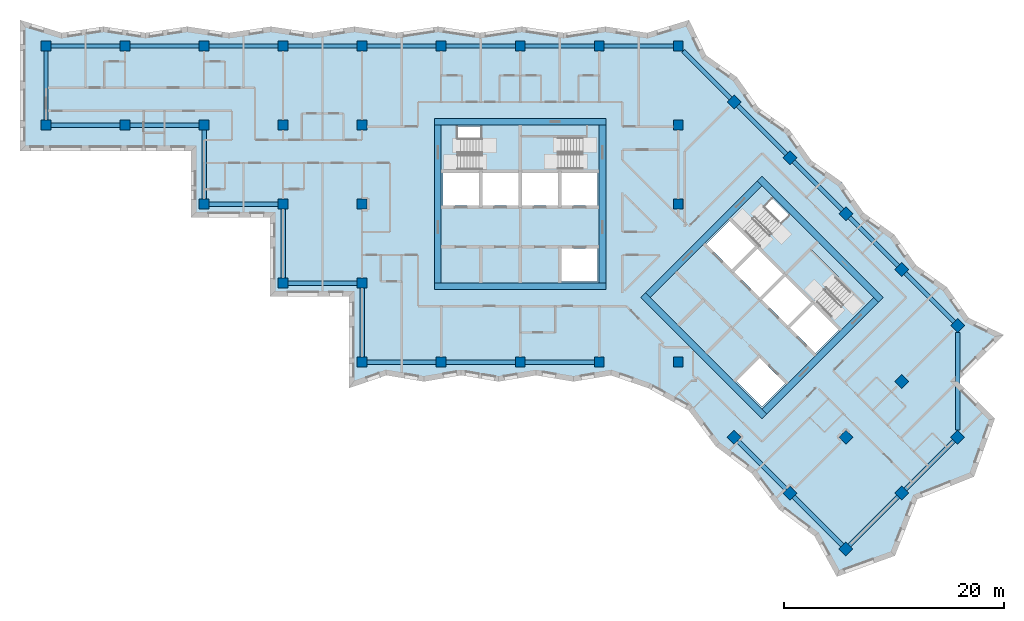
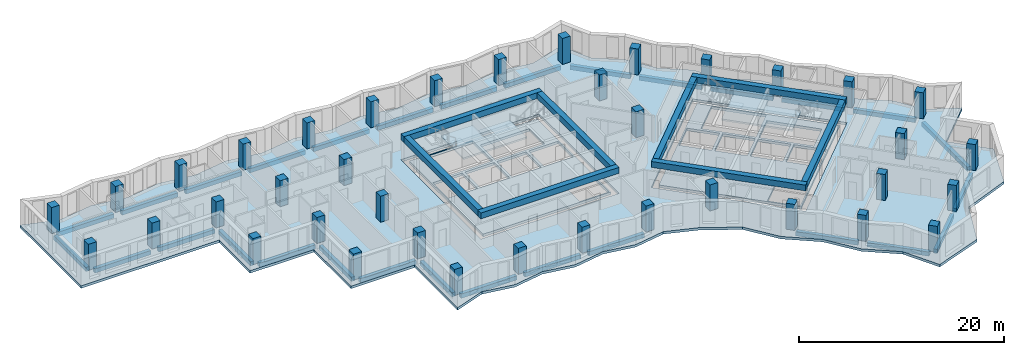
# One storey, part 1 of 12: 38 columns, 37 beams, 7 slabs, 16 openings, 4 elements without a shape of their own.
"""IFC4 building model written with IfcOpenShell, lengths in metres."""

from ifc_helpers import new_model, si_unit, direction, frame, origin, origin_2d, place, context, subcontext, project, spatial, polyline, rectangle, outline, extrude, material, layer, layer_set, material_profile, profile_set, type_object, element, aggregate, save


model = new_model("IFC4")

# Units and contexts
model_context = context("Model", 3, precision=1e-05, world=origin(), true_north=direction((0.0, 1.0)))
body_context = subcontext(model_context, "Body", "Model", "MODEL_VIEW")
ifc_project = project(units=[si_unit("LENGTHUNIT", "METRE"), si_unit("AREAUNIT", "SQUARE_METRE"), si_unit("VOLUMEUNIT", "CUBIC_METRE"), si_unit("PLANEANGLEUNIT", "RADIAN"), si_unit("MASSUNIT", "GRAM", prefix="KILO")], contexts=[model_context])

# Site, building, storey
site_placement = place(None, origin())
site = spatial("IfcSite", under=ifc_project, at=site_placement, CompositionType="ELEMENT")
building_placement = place(site_placement, origin())
building = spatial("IfcBuilding", under=site, at=building_placement, Name="Windrow Commons", CompositionType="ELEMENT")
storey_placement = place(building_placement, frame((0.0, 0.0, 166.0)))
storey = spatial("IfcBuildingStorey", under=building, at=storey_placement, Name="L45", CompositionType="ELEMENT", Elevation=166.0)

# Columns
ifc_material_1 = material(Name="Concrete C50/60", Category="concrete")
ifc_material_profile_1 = material_profile(ifc_material_1, rectangle(XDim=0.9, YDim=0.9, at=origin_2d()))
ifc_profile_set_1 = profile_set([ifc_material_profile_1], Name="Concrete C50/60")
column_type = type_object("IfcColumnType", Name="RC COLUMN 900x900 C50/60", PredefinedType="COLUMN", material=ifc_profile_set_1)
for number, where, z_axis, x_axis, name in (
    (1, (21.6, 64.8, 0.0), (0.0, 0.0, 1.0), (1.0, 0.0, 0.0), "C-Z3-04I"),
    (2, (21.6, 72.0, 0.0), (0.0, 0.0, 1.0), (1.0, 0.0, 0.0), "C-Z3-04J"),
    (3, (28.8, 64.8, 0.0), (0.0, 0.0, 1.0), (1.0, 0.0, 0.0), "C-Z3-05I"),
    (4, (28.8, 72.0, 0.0), (0.0, 0.0, 1.0), (1.0, 0.0, 0.0), "C-Z3-05J"),
    (5, (36.0, 57.6, 0.0), (0.0, 0.0, 1.0), (1.0, 0.0, 0.0), "C-Z3-06H"),
    (6, (36.0, 64.8, 0.0), (0.0, 0.0, 1.0), (1.0, 0.0, 0.0), "C-Z3-06I"),
    (7, (36.0, 72.0, 0.0), (0.0, 0.0, 1.0), (1.0, 0.0, 0.0), "C-Z3-06J"),
    (8, (43.2, 50.4, 0.0), (0.0, 0.0, 1.0), (1.0, 0.0, 0.0), "C-Z3-07G"),
    (9, (43.2, 57.6, 0.0), (0.0, 0.0, 1.0), (1.0, 0.0, 0.0), "C-Z3-07H"),
    (10, (43.2, 64.8, 0.0), (0.0, 0.0, 1.0), (1.0, 0.0, 0.0), "C-Z3-07I"),
    (11, (43.2, 72.0, 0.0), (0.0, 0.0, 1.0), (1.0, 0.0, 0.0), "C-Z3-07J"),
    (12, (50.4, 43.2, 0.0), (0.0, 0.0, 1.0), (1.0, 0.0, 0.0), "C-Z3-08F"),
    (13, (50.4, 50.4, 0.0), (0.0, 0.0, 1.0), (1.0, 0.0, 0.0), "C-Z3-08G"),
    (14, (50.4, 57.6, 0.0), (0.0, 0.0, 1.0), (1.0, 0.0, 0.0), "C-Z3-08H"),
    (15, (50.4, 64.8, 0.0), (0.0, 0.0, 1.0), (1.0, 0.0, 0.0), "C-Z3-08I"),
    (16, (50.4, 72.0, 0.0), (0.0, 0.0, 1.0), (1.0, 0.0, 0.0), "C-Z3-08J"),
    (17, (57.6, 43.2, 0.0), (0.0, 0.0, 1.0), (1.0, 0.0, 0.0), "C-Z3-09F"),
    (18, (57.6, 72.0, 0.0), (0.0, 0.0, 1.0), (1.0, 0.0, 0.0), "C-Z3-09J"),
    (19, (64.8, 43.2, 0.0), (0.0, 0.0, 1.0), (1.0, 0.0, 0.0), "C-Z3-10F"),
    (20, (64.8, 72.0, 0.0), (0.0, 0.0, 1.0), (1.0, 0.0, 0.0), "C-Z3-10J"),
    (21, (72.0, 43.2, 0.0), (0.0, 0.0, 1.0), (1.0, 0.0, 0.0), "C-Z3-11F"),
    (22, (72.0, 72.0, 0.0), (0.0, 0.0, 1.0), (1.0, 0.0, 0.0), "C-Z3-11J"),
    (23, (79.2, 43.2, 0.0), (0.0, 0.0, 1.0), (1.0, 0.0, 0.0), "C-Z3-12F"),
    (24, (79.2, 57.6, 0.0), (0.0, 0.0, 1.0), (1.0, 0.0, 0.0), "C-Z3-12H"),
    (25, (79.2, 64.8, 0.0), (0.0, 0.0, 1.0), (1.0, 0.0, 0.0), "C-Z3-12I"),
    (26, (79.2, 72.0, 0.0), (0.0, 0.0, 1.0), (1.0, 0.0, 0.0), "C-Z3-12J"),
    (27, (84.2912, 66.9088, 0.0), (0.0, 0.0, 1.0), (0.7071067812, -0.7071067812, 0.0), "C-Z3-P2Q"),
    (28, (89.3823, 61.8177, 0.0), (0.0, 0.0, 1.0), (0.7071067812, -0.7071067812, 0.0), "C-Z3-P3Q"),
    (29, (94.4735, 56.7265, 0.0), (0.0, 0.0, 1.0), (0.7071067812, -0.7071067812, 0.0), "C-Z3-P4Q"),
    (30, (99.5647, 51.6353, 0.0), (0.0, 0.0, 1.0), (0.7071067812, -0.7071067812, 0.0), "C-Z3-P5Q"),
    (31, (84.2912, 36.3618, 0.0), (0.0, 0.0, 1.0), (0.7071067812, -0.7071067812, 0.0), "C-Z3-P5T"),
    (32, (104.6558, 46.5442, 0.0), (0.0, 0.0, 1.0), (0.7071067812, -0.7071067812, 0.0), "C-Z3-P6Q"),
    (33, (99.5647, 41.453, 0.0), (0.0, 0.0, 1.0), (0.7071067812, -0.7071067812, 0.0), "C-Z3-P6R"),
    (34, (94.4735, 36.3618, 0.0), (0.0, 0.0, 1.0), (0.7071067812, -0.7071067812, 0.0), "C-Z3-P6S"),
    (35, (89.3823, 31.2706, 0.0), (0.0, 0.0, 1.0), (0.7071067812, -0.7071067812, 0.0), "C-Z3-P6T"),
    (36, (104.6558, 36.3618, 0.0), (0.0, 0.0, 1.0), (0.7071067812, -0.7071067812, 0.0), "C-Z3-P7R"),
    (37, (99.5647, 31.2706, 0.0), (0.0, 0.0, 1.0), (0.7071067812, -0.7071067812, 0.0), "C-Z3-P7S"),
    (38, (94.4735, 26.1795, 0.0), (0.0, 0.0, 1.0), (0.7071067812, -0.7071067812, 0.0), "C-Z3-P7T"),
):
    element("IfcColumn", number, at=place(storey_placement, frame(where, z_axis=z_axis, x_axis=x_axis)), inside=storey, type_object=column_type, Name=name, PredefinedType="COLUMN", context=body_context, shape_type="SweptSolid", body=[
        extrude(rectangle(XDim=0.9, YDim=0.9, at=origin_2d()), origin(), (0.0, 0.0, 1.0), 3.1),
    ])

# Beams
ifc_material_2 = material(Name="Concrete C50/60", Category="concrete")
ifc_material_profile_2 = material_profile(ifc_material_2, rectangle(XDim=0.6, YDim=0.7, at=origin_2d()))
ifc_profile_set_2 = profile_set([ifc_material_profile_2], Name="Concrete C50/60")
beam_type_1 = type_object("IfcBeamType", Name="RC COUPLING BEAM 600x700 C50/60", PredefinedType="LINTEL", material=ifc_profile_set_2)
for number, where, z_axis, x_axis, name in (
    (39, (57.0, 50.1, 2.75), (1.0, 0.0, 0.0), (0.0, 1.0, 0.0), "Core A coupling beam outer-S"),
    (40, (57.0, 65.1, 2.75), (1.0, 0.0, 0.0), (0.0, 1.0, 0.0), "Core A coupling beam outer-N"),
):
    element("IfcBeam", number, at=place(storey_placement, frame(where, z_axis=z_axis, x_axis=x_axis)), inside=storey, type_object=beam_type_1, Name=name, PredefinedType="LINTEL", context=body_context, shape_type="SweptSolid", body=[
        extrude(rectangle(XDim=0.6, YDim=0.7, at=origin_2d()), origin(), (0.0, 0.0, 1.0), 15.6),
    ])
for number, where, z_axis, x_axis, name in (
    (41, (57.3, 50.4, 2.75), (0.0, 1.0, 0.0), (-1.0, 0.0, 0.0), "Core A coupling beam outer-W"),
    (42, (72.3, 50.4, 2.75), (0.0, 1.0, 0.0), (-1.0, 0.0, 0.0), "Core A coupling beam outer-E"),
):
    element("IfcBeam", number, at=place(storey_placement, frame(where, z_axis=z_axis, x_axis=x_axis)), inside=storey, type_object=beam_type_1, Name=name, PredefinedType="LINTEL", context=body_context, shape_type="SweptSolid", body=[
        extrude(rectangle(XDim=0.6, YDim=0.7, at=origin_2d()), origin(), (0.0, 0.0, 1.0), 14.4),
    ])
for number, where, z_axis, x_axis, name in (
    (43, (76.018, 49.3019, 2.75), (0.7071067812, -0.7071067812, 0.0), (0.7071067812, 0.7071067812, 0.0), "Core B coupling beam outer-S"),
    (44, (86.6246, 59.9085, 2.75), (0.7071067812, -0.7071067812, 0.0), (0.7071067812, 0.7071067812, 0.0), "Core B coupling beam outer-N"),
):
    element("IfcBeam", number, at=place(storey_placement, frame(where, z_axis=z_axis, x_axis=x_axis)), inside=storey, type_object=beam_type_1, Name=name, PredefinedType="LINTEL", context=body_context, shape_type="SweptSolid", body=[
        extrude(rectangle(XDim=0.6, YDim=0.7, at=origin_2d()), origin(), (0.0, 0.0, 1.0), 15.6),
    ])
for number, where, z_axis, x_axis, name in (
    (45, (76.4423, 49.3019, 2.75), (0.7071067812, 0.7071067812, 0.0), (-0.7071067812, 0.7071067812, 0.0), "Core B coupling beam outer-W"),
    (46, (87.0489, 38.6953, 2.75), (0.7071067812, 0.7071067812, 0.0), (-0.7071067812, 0.7071067812, 0.0), "Core B coupling beam outer-E"),
):
    element("IfcBeam", number, at=place(storey_placement, frame(where, z_axis=z_axis, x_axis=x_axis)), inside=storey, type_object=beam_type_1, Name=name, PredefinedType="LINTEL", context=body_context, shape_type="SweptSolid", body=[
        extrude(rectangle(XDim=0.6, YDim=0.7, at=origin_2d()), origin(), (0.0, 0.0, 1.0), 14.3999),
    ])
ifc_material_3 = material(Name="Concrete C50/60", Category="concrete")
ifc_material_profile_3 = material_profile(ifc_material_3, rectangle(XDim=0.4, YDim=0.5, at=origin_2d()))
ifc_profile_set_3 = profile_set([ifc_material_profile_3], Name="Concrete C50/60")
beam_type_2 = type_object("IfcBeamType", Name="RC EDGE BEAM 400x500 C50/60", PredefinedType="SPANDREL", material=ifc_profile_set_3)
for number, where, z_axis, x_axis, name in (
    (47, (36.0, 58.05, -0.55), (0.0, 1.0, 0.0), (-1.0, 0.0, 0.0), "Edge beam L45 001"),
    (48, (35.55, 64.8, -0.55), (-1.0, 0.0, 0.0), (0.0, -1.0, 0.0), "Edge beam L45 002"),
    (49, (28.35, 64.8, -0.55), (-1.0, 0.0, 0.0), (0.0, -1.0, 0.0), "Edge beam L45 003"),
    (50, (21.6, 65.25, -0.55), (0.0, 1.0, 0.0), (-1.0, 0.0, 0.0), "Edge beam L45 004"),
    (51, (22.05, 72.0, -0.55), (1.0, 0.0, 0.0), (0.0, 1.0, 0.0), "Edge beam L45 005"),
    (52, (29.25, 72.0, -0.55), (1.0, 0.0, 0.0), (0.0, 1.0, 0.0), "Edge beam L45 006"),
    (53, (36.45, 72.0, -0.55), (1.0, 0.0, 0.0), (0.0, 1.0, 0.0), "Edge beam L45 007"),
    (54, (43.65, 72.0, -0.55), (1.0, 0.0, 0.0), (0.0, 1.0, 0.0), "Edge beam L45 008"),
    (55, (50.85, 72.0, -0.55), (1.0, 0.0, 0.0), (0.0, 1.0, 0.0), "Edge beam L45 009"),
    (56, (58.05, 72.0, -0.55), (1.0, 0.0, 0.0), (0.0, 1.0, 0.0), "Edge beam L45 010"),
    (57, (65.25, 72.0, -0.55), (1.0, 0.0, 0.0), (0.0, 1.0, 0.0), "Edge beam L45 011"),
    (58, (72.45, 72.0, -0.55), (1.0, 0.0, 0.0), (0.0, 1.0, 0.0), "Edge beam L45 012"),
):
    element("IfcBeam", number, at=place(storey_placement, frame(where, z_axis=z_axis, x_axis=x_axis)), inside=storey, type_object=beam_type_2, Name=name, PredefinedType="SPANDREL", context=body_context, shape_type="SweptSolid", body=[
        extrude(rectangle(XDim=0.4, YDim=0.5, at=origin_2d()), origin(), (0.0, 0.0, 1.0), 6.3),
    ])
beam_1_placement = place(storey_placement, frame((79.65, 71.55, -0.55), z_axis=(0.7071067812, -0.7071067812, 0.0), x_axis=(0.7071067812, 0.7071067812, 0.0)))
element("IfcBeam", 59, at=beam_1_placement, inside=storey, type_object=beam_type_2, Name="Edge beam L45 013", PredefinedType="SPANDREL", context=body_context, shape_type="SweptSolid", body=[
    extrude(rectangle(XDim=0.4, YDim=0.5, at=origin_2d()), origin(), (0.0, 0.0, 1.0), 6.1136),
])
beam_2_placement = place(storey_placement, frame((84.6094, 66.5906, -0.55), z_axis=(0.7071067812, -0.7071067812, 0.0), x_axis=(0.7071067812, 0.7071067812, 0.0)))
element("IfcBeam", 60, at=beam_2_placement, inside=storey, type_object=beam_type_2, Name="Edge beam L45 014", PredefinedType="SPANDREL", context=body_context, shape_type="SweptSolid", body=[
    extrude(rectangle(XDim=0.4, YDim=0.5, at=origin_2d()), origin(), (0.0, 0.0, 1.0), 6.2999),
])
for number, where, z_axis, x_axis, name in (
    (61, (89.7005, 61.4995, -0.55), (0.7071067812, -0.7071067812, 0.0), (0.7071067812, 0.7071067812, 0.0), "Edge beam L45 015"),
    (62, (94.7917, 56.4083, -0.55), (0.7071067812, -0.7071067812, 0.0), (0.7071067812, 0.7071067812, 0.0), "Edge beam L45 016"),
):
    element("IfcBeam", number, at=place(storey_placement, frame(where, z_axis=z_axis, x_axis=x_axis)), inside=storey, type_object=beam_type_2, Name=name, PredefinedType="SPANDREL", context=body_context, shape_type="SweptSolid", body=[
        extrude(rectangle(XDim=0.4, YDim=0.5, at=origin_2d()), origin(), (0.0, 0.0, 1.0), 6.3),
    ])
beam_3_placement = place(storey_placement, frame((99.8829, 51.3171, -0.55), z_axis=(0.7071067812, -0.7071067812, 0.0), x_axis=(0.7071067812, 0.7071067812, 0.0)))
element("IfcBeam", 63, at=beam_3_placement, inside=storey, type_object=beam_type_2, Name="Edge beam L45 017", PredefinedType="SPANDREL", context=body_context, shape_type="SweptSolid", body=[
    extrude(rectangle(XDim=0.4, YDim=0.5, at=origin_2d()), origin(), (0.0, 0.0, 1.0), 6.2999),
])
beam_4_placement = place(storey_placement, frame((104.6558, 45.9078, -0.55), z_axis=(0.0, -1.0, 0.0), x_axis=(1.0, 0.0, 0.0)))
element("IfcBeam", 64, at=beam_4_placement, inside=storey, type_object=beam_type_2, Name="Edge beam L45 018", PredefinedType="SPANDREL", context=body_context, shape_type="SweptSolid", body=[
    extrude(rectangle(XDim=0.4, YDim=0.5, at=origin_2d()), origin(), (0.0, 0.0, 1.0), 8.9096),
])
for number, where, z_axis, x_axis, name in (
    (65, (104.3376, 36.0436, -0.55), (-0.7070988446, -0.7071147177, 0.0), (0.7071147177, -0.7070988446, 0.0), "Edge beam L45 019"),
    (66, (99.2465, 30.9524, -0.55), (-0.7071147177, -0.7070988446, 0.0), (0.7070988446, -0.7071147177, 0.0), "Edge beam L45 020"),
    (67, (94.1553, 26.4977, -0.55), (-0.7071147177, 0.7070988446, 0.0), (-0.7070988446, -0.7071147177, 0.0), "Edge beam L45 021"),
    (68, (89.0641, 31.5888, -0.55), (-0.7070988446, 0.7071147177, 0.0), (-0.7071147177, -0.7070988446, 0.0), "Edge beam L45 022"),
    (69, (71.55, 43.2, -0.55), (-1.0, 0.0, 0.0), (0.0, -1.0, 0.0), "Edge beam L45 023"),
    (70, (64.35, 43.2, -0.55), (-1.0, 0.0, 0.0), (0.0, -1.0, 0.0), "Edge beam L45 024"),
    (71, (57.15, 43.2, -0.55), (-1.0, 0.0, 0.0), (0.0, -1.0, 0.0), "Edge beam L45 025"),
    (72, (50.4, 43.65, -0.55), (0.0, 1.0, 0.0), (-1.0, 0.0, 0.0), "Edge beam L45 026"),
    (73, (49.95, 50.4, -0.55), (-1.0, 0.0, 0.0), (0.0, -1.0, 0.0), "Edge beam L45 027"),
    (74, (43.2, 50.85, -0.55), (0.0, 1.0, 0.0), (-1.0, 0.0, 0.0), "Edge beam L45 028"),
    (75, (42.75, 57.6, -0.55), (-1.0, 0.0, 0.0), (0.0, -1.0, 0.0), "Edge beam L45 029"),
):
    element("IfcBeam", number, at=place(storey_placement, frame(where, z_axis=z_axis, x_axis=x_axis)), inside=storey, type_object=beam_type_2, Name=name, PredefinedType="SPANDREL", context=body_context, shape_type="SweptSolid", body=[
        extrude(rectangle(XDim=0.4, YDim=0.5, at=origin_2d()), origin(), (0.0, 0.0, 1.0), 6.3),
    ])

# Slab, openings
ifc_material_4 = material(Name="Concrete C50/60", Category="concrete")
ifc_layer_1 = layer(ifc_material_4, 0.3)
ifc_layer_set_1 = layer_set([ifc_layer_1], Name="CORE FLOOR SLAB 300 C50/60")
slab_type_1 = type_object("IfcSlabType", Name="CORE FLOOR SLAB 300 C50/60", PredefinedType="FLOOR", material=ifc_layer_set_1)
placement_1 = place(storey_placement, frame((0.0, 0.0, -0.3)))
slab_1 = element("IfcSlab", 76, at=placement_1, inside=storey, type_object=slab_type_1, Name="S-L45-core-A", PredefinedType="FLOOR", context=body_context, shape_type="SweptSolid", body=[
    extrude(outline(polyline([(57.6, 50.4), (72.0, 50.4), (72.0, 64.8), (57.6, 64.8), (57.6, 50.4)]), holes=[polyline([(68.55, 50.55), (71.85, 50.55), (71.85, 53.55), (68.55, 53.55), (68.55, 50.55)]), polyline([(57.75, 57.45), (61.05, 57.45), (61.05, 60.45), (57.75, 60.45), (57.75, 57.45)]), polyline([(61.35, 57.45), (64.65, 57.45), (64.65, 60.45), (61.35, 60.45), (61.35, 57.45)]), polyline([(64.95, 57.45), (68.25, 57.45), (68.25, 60.45), (64.95, 60.45), (64.95, 57.45)]), polyline([(68.55, 57.45), (71.85, 57.45), (71.85, 60.45), (68.55, 60.45), (68.55, 57.45)]), polyline([(59.1, 60.75), (64.65, 60.75), (64.65, 64.65), (59.1, 64.65), (59.1, 60.75)]), polyline([(64.95, 60.75), (70.5, 60.75), (70.5, 63.705), (64.95, 63.705), (64.95, 60.75)])]), origin(), (0.0, 0.0, 1.0), 0.3),
])
opening_1_placement = place(placement_1, origin())
element("IfcOpeningElement", 77, at=opening_1_placement, cuts=slab_1, Name="Slab opening S-L45-core-A 1", PredefinedType="OPENING", context=body_context, shape_type="SweptSolid", body=[
    extrude(outline(polyline([(68.555, 50.555), (68.555, 53.545), (71.845, 53.545), (71.845, 50.555), (68.555, 50.555)])), origin(), (0.0, 0.0, 1.0), 0.3),
])
opening_2_placement = place(placement_1, origin())
element("IfcOpeningElement", 78, at=opening_2_placement, cuts=slab_1, Name="Slab opening S-L45-core-A 2", PredefinedType="OPENING", context=body_context, shape_type="SweptSolid", body=[
    extrude(outline(polyline([(57.755, 57.455), (57.755, 60.445), (61.045, 60.445), (61.045, 57.455), (57.755, 57.455)])), origin(), (0.0, 0.0, 1.0), 0.3),
])
opening_3_placement = place(placement_1, origin())
element("IfcOpeningElement", 79, at=opening_3_placement, cuts=slab_1, Name="Slab opening S-L45-core-A 3", PredefinedType="OPENING", context=body_context, shape_type="SweptSolid", body=[
    extrude(outline(polyline([(61.355, 57.455), (61.355, 60.445), (64.645, 60.445), (64.645, 57.455), (61.355, 57.455)])), origin(), (0.0, 0.0, 1.0), 0.3),
])
opening_4_placement = place(placement_1, origin())
element("IfcOpeningElement", 80, at=opening_4_placement, cuts=slab_1, Name="Slab opening S-L45-core-A 4", PredefinedType="OPENING", context=body_context, shape_type="SweptSolid", body=[
    extrude(outline(polyline([(64.955, 57.455), (64.955, 60.445), (68.245, 60.445), (68.245, 57.455), (64.955, 57.455)])), origin(), (0.0, 0.0, 1.0), 0.3),
])
opening_5_placement = place(placement_1, origin())
element("IfcOpeningElement", 81, at=opening_5_placement, cuts=slab_1, Name="Slab opening S-L45-core-A 5", PredefinedType="OPENING", context=body_context, shape_type="SweptSolid", body=[
    extrude(outline(polyline([(68.555, 57.455), (68.555, 60.445), (71.845, 60.445), (71.845, 57.455), (68.555, 57.455)])), origin(), (0.0, 0.0, 1.0), 0.3),
])
opening_6_placement = place(placement_1, origin())
element("IfcOpeningElement", 82, at=opening_6_placement, cuts=slab_1, Name="Slab opening S-L45-core-A 6", PredefinedType="OPENING", context=body_context, shape_type="SweptSolid", body=[
    extrude(outline(polyline([(59.105, 60.755), (59.105, 64.645), (64.645, 64.645), (64.645, 60.755), (59.105, 60.755)])), origin(), (0.0, 0.0, 1.0), 0.3),
])
opening_7_placement = place(placement_1, origin())
element("IfcOpeningElement", 83, at=opening_7_placement, cuts=slab_1, Name="Slab opening S-L45-core-A 7", PredefinedType="OPENING", context=body_context, shape_type="SweptSolid", body=[
    extrude(outline(polyline([(64.955, 60.755), (64.955, 63.7), (70.495, 63.7), (70.495, 60.755), (64.955, 60.755)])), origin(), (0.0, 0.0, 1.0), 0.3),
])

slab_2 = element("IfcSlab", 84, at=placement_1, inside=storey, type_object=slab_type_1, Name="S-L45-core-B", PredefinedType="FLOOR", context=body_context, shape_type="SweptSolid", body=[
    extrude(outline(polyline([(76.6544, 49.0897), (86.8368, 38.9074), (97.0191, 49.0897), (86.8368, 59.2721), (76.6544, 49.0897)]), holes=[polyline([(84.5033, 41.453), (86.8368, 39.1195), (88.9581, 41.2409), (86.6246, 43.5743), (84.5033, 41.453)]), polyline([(81.7456, 53.9688), (84.079, 51.6353), (86.2004, 53.7566), (83.8669, 56.0901), (81.7456, 53.9688)]), polyline([(84.2912, 51.4232), (86.6246, 49.0897), (88.7459, 51.2111), (86.4125, 53.5445), (84.2912, 51.4232)]), polyline([(86.8368, 48.8776), (89.1702, 46.5442), (91.2915, 48.6655), (88.9581, 50.9989), (86.8368, 48.8776)]), polyline([(89.3823, 46.332), (91.7158, 43.9986), (93.8371, 46.1199), (91.5037, 48.4533), (89.3823, 46.332)]), polyline([(85.0336, 55.3476), (88.9581, 51.4232), (91.7158, 54.1809), (87.7913, 58.1054), (85.0336, 55.3476)]), polyline([(89.1702, 51.2111), (93.0946, 47.2866), (95.1841, 49.3761), (91.2597, 53.3006), (89.1702, 51.2111)])]), origin(), (0.0, 0.0, 1.0), 0.3),
])
opening_8_placement = place(placement_1, origin())
element("IfcOpeningElement", 85, at=opening_8_placement, cuts=slab_2, Name="Slab opening S-L45-core-B 1", PredefinedType="OPENING", context=body_context, shape_type="SweptSolid", body=[
    extrude(outline(polyline([(84.5104, 41.453), (86.6246, 43.5672), (88.951, 41.2409), (86.8368, 39.1266), (84.5104, 41.453)])), origin(), (0.0, 0.0, 1.0), 0.3),
])
opening_9_placement = place(placement_1, origin())
element("IfcOpeningElement", 86, at=opening_9_placement, cuts=slab_2, Name="Slab opening S-L45-core-B 2", PredefinedType="OPENING", context=body_context, shape_type="SweptSolid", body=[
    extrude(outline(polyline([(81.7527, 53.9688), (83.8669, 56.083), (86.1933, 53.7566), (84.079, 51.6424), (81.7527, 53.9688)])), origin(), (0.0, 0.0, 1.0), 0.3),
])
opening_10_placement = place(placement_1, origin())
element("IfcOpeningElement", 87, at=opening_10_placement, cuts=slab_2, Name="Slab opening S-L45-core-B 3", PredefinedType="OPENING", context=body_context, shape_type="SweptSolid", body=[
    extrude(outline(polyline([(84.2983, 51.4232), (86.4125, 53.5374), (88.7388, 51.2111), (86.6246, 49.0968), (84.2983, 51.4232)])), origin(), (0.0, 0.0, 1.0), 0.3),
])
opening_11_placement = place(placement_1, origin())
element("IfcOpeningElement", 88, at=opening_11_placement, cuts=slab_2, Name="Slab opening S-L45-core-B 4", PredefinedType="OPENING", context=body_context, shape_type="SweptSolid", body=[
    extrude(outline(polyline([(86.8439, 48.8776), (88.9581, 50.9918), (91.2844, 48.6655), (89.1702, 46.5513), (86.8439, 48.8776)])), origin(), (0.0, 0.0, 1.0), 0.3),
])
opening_12_placement = place(placement_1, origin())
element("IfcOpeningElement", 89, at=opening_12_placement, cuts=slab_2, Name="Slab opening S-L45-core-B 5", PredefinedType="OPENING", context=body_context, shape_type="SweptSolid", body=[
    extrude(outline(polyline([(89.3894, 46.332), (91.5037, 48.4462), (93.83, 46.1199), (91.7158, 44.0057), (89.3894, 46.332)])), origin(), (0.0, 0.0, 1.0), 0.3),
])
opening_13_placement = place(placement_1, origin())
element("IfcOpeningElement", 90, at=opening_13_placement, cuts=slab_2, Name="Slab opening S-L45-core-B 6", PredefinedType="OPENING", context=body_context, shape_type="SweptSolid", body=[
    extrude(outline(polyline([(85.0407, 55.3476), (87.7913, 58.0983), (91.7087, 54.1809), (88.9581, 51.4303), (85.0407, 55.3476)])), origin(), (0.0, 0.0, 1.0), 0.3),
])
opening_14_placement = place(placement_1, origin())
element("IfcOpeningElement", 91, at=opening_14_placement, cuts=slab_2, Name="Slab opening S-L45-core-B 7", PredefinedType="OPENING", context=body_context, shape_type="SweptSolid", body=[
    extrude(outline(polyline([(89.1773, 51.2111), (91.2597, 53.2935), (95.177, 49.3761), (93.0946, 47.2937), (89.1773, 51.2111)])), origin(), (0.0, 0.0, 1.0), 0.3),
])

# Stair, slab
ifc_material_5 = material(Name="Concrete C40/50", Category="concrete")
stair_type = type_object("IfcStairType", Name="Core stair", PredefinedType="HALF_TURN_STAIR", material=ifc_material_5)
placement_2 = place(storey_placement, origin())
stair_1 = element("IfcStair", 92, at=placement_2, inside=storey, type_object=stair_type, Name="L45 Exit stair A1 core A", PredefinedType="HALF_TURN_STAIR")
ifc_material_6 = material(Name="Concrete C40/50", Category="concrete")
ifc_layer_2 = layer(ifc_material_6, 0.2)
ifc_layer_set_2 = layer_set([ifc_layer_2], Name="Core stair landing")
slab_type_2 = type_object("IfcSlabType", Name="Core stair landing", PredefinedType="LANDING", material=ifc_layer_set_2)
placement_3 = place(storey_placement, frame((0.0, 0.0, 1.5)))
slab_3 = element("IfcSlab", 93, at=placement_3, type_object=slab_type_2, Name="ST-A1 landing 1", PredefinedType="LANDING", context=body_context, shape_type="SweptSolid", body=[
    extrude(outline(polyline([(61.22, 60.5), (64.8, 60.5), (64.8, 64.9), (61.22, 64.9), (61.22, 60.5)])), origin(), (0.0, 0.0, 1.0), 0.2),
])
aggregate(stair_1, [slab_3])

stair_2 = element("IfcStair", 94, at=placement_2, inside=storey, type_object=stair_type, Name="L45 Exit stair A2 core A", PredefinedType="HALF_TURN_STAIR")
slab_4 = element("IfcSlab", 95, at=placement_3, type_object=slab_type_2, Name="ST-A2 landing 1", PredefinedType="LANDING", context=body_context, shape_type="SweptSolid", body=[
    extrude(outline(polyline([(64.8, 60.5), (68.38, 60.5), (68.38, 63.855), (64.8, 63.855), (64.8, 60.5)])), origin(), (0.0, 0.0, 1.0), 0.2),
])
aggregate(stair_2, [slab_4])

stair_3 = element("IfcStair", 96, at=placement_2, inside=storey, type_object=stair_type, Name="L45 Exit stair B1 core B", PredefinedType="HALF_TURN_STAIR")
slab_5 = element("IfcSlab", 97, at=placement_3, type_object=slab_type_2, Name="ST-B1 landing 1", PredefinedType="LANDING", context=body_context, shape_type="SweptSolid", body=[
    extrude(outline(polyline([(86.3559, 53.6718), (88.8874, 51.1403), (91.9986, 54.2516), (89.4672, 56.7831), (86.3559, 53.6718)])), origin(), (0.0, 0.0, 1.0), 0.2),
])
aggregate(stair_3, [slab_5])

stair_4 = element("IfcStair", 98, at=placement_2, inside=storey, type_object=stair_type, Name="L45 Exit stair B2 core B", PredefinedType="HALF_TURN_STAIR")
slab_6 = element("IfcSlab", 99, at=placement_3, type_object=slab_type_2, Name="ST-B2 landing 1", PredefinedType="LANDING", context=body_context, shape_type="SweptSolid", body=[
    extrude(outline(polyline([(88.8874, 51.1403), (91.4188, 48.6089), (93.7911, 50.9812), (91.2597, 53.5127), (88.8874, 51.1403)])), origin(), (0.0, 0.0, 1.0), 0.2),
])
aggregate(stair_4, [slab_6])

# Slab, openings
ifc_material_7 = material(Name="Concrete C50/60", Category="concrete")
ifc_layer_3 = layer(ifc_material_7, 0.3)
ifc_layer_set_3 = layer_set([ifc_layer_3], Name="FLOOR SLAB 300 C50/60")
slab_type_3 = type_object("IfcSlabType", Name="FLOOR SLAB 300 C50/60", PredefinedType="FLOOR", material=ifc_layer_set_3)
slab_7 = element("IfcSlab", 100, at=placement_1, inside=storey, type_object=slab_type_3, Name="S-L45-floor", PredefinedType="FLOOR", context=body_context, shape_type="SweptSolid", body=[
    extrude(outline(polyline([(91.6111, 27.3448), (93.6448, 23.6537), (98.9431, 25.5579), (100.9888, 30.7149), (106.1457, 32.7605), (108.05, 38.0589), (104.6558, 41.453), (108.8787, 45.6758), (105.6587, 47.2384), (103.6718, 50.0343), (100.876, 52.0211), (98.8891, 54.8169), (96.0933, 56.8038), (94.1064, 59.5996), (91.3106, 61.5865), (89.3237, 64.3823), (86.5279, 66.3692), (84.541, 69.165), (81.7452, 71.1519), (80.1826, 74.372), (76.3729, 73.2), (72.5632, 73.772), (68.7536, 73.2), (64.9439, 73.772), (61.1343, 73.2), (57.3246, 73.772), (53.5149, 73.2), (49.7053, 73.772), (45.8956, 73.2), (42.086, 73.772), (38.2763, 73.2), (34.4666, 73.772), (30.657, 73.2), (26.8473, 73.772), (23.0377, 73.2), (19.228, 74.372), (19.228, 62.428), (34.8, 62.428), (34.8, 56.4), (42.0, 56.4), (42.0, 49.2), (49.2, 49.2), (49.2, 40.828), (52.6088, 42.0), (56.0176, 41.428), (59.4264, 42.0), (62.8352, 41.428), (66.244, 42.0), (69.6528, 41.428), (73.0616, 42.0), (76.4704, 40.828), (80.1616, 38.7943), (82.6195, 35.5275), (85.8863, 33.0696), (88.3443, 29.8027), (91.6111, 27.3448)]), holes=[polyline([(75.8059, 49.0897), (86.8368, 60.1206), (97.8676, 49.0897), (86.8368, 38.0589), (75.8059, 49.0897)]), polyline([(57.0, 49.8), (57.0, 65.4), (72.6, 65.4), (72.6, 49.8), (57.0, 49.8)])]), origin(), (0.0, 0.0, 1.0), 0.3),
])
opening_15_placement = place(placement_1, origin())
element("IfcOpeningElement", 101, at=opening_15_placement, cuts=slab_7, Name="Slab opening S-L45-floor 1", PredefinedType="OPENING", context=body_context, shape_type="SweptSolid", body=[
    extrude(outline(polyline([(75.813, 49.0897), (86.8368, 60.1135), (97.8605, 49.0897), (86.8368, 38.066), (75.813, 49.0897)])), origin(), (0.0, 0.0, 1.0), 0.3),
])
opening_16_placement = place(placement_1, origin())
element("IfcOpeningElement", 102, at=opening_16_placement, cuts=slab_7, Name="Slab opening S-L45-floor 2", PredefinedType="OPENING", context=body_context, shape_type="SweptSolid", body=[
    extrude(outline(polyline([(57.005, 49.805), (57.005, 65.395), (72.595, 65.395), (72.595, 49.805), (57.005, 49.805)])), origin(), (0.0, 0.0, 1.0), 0.3),
])

save(model, "model.ifc")
